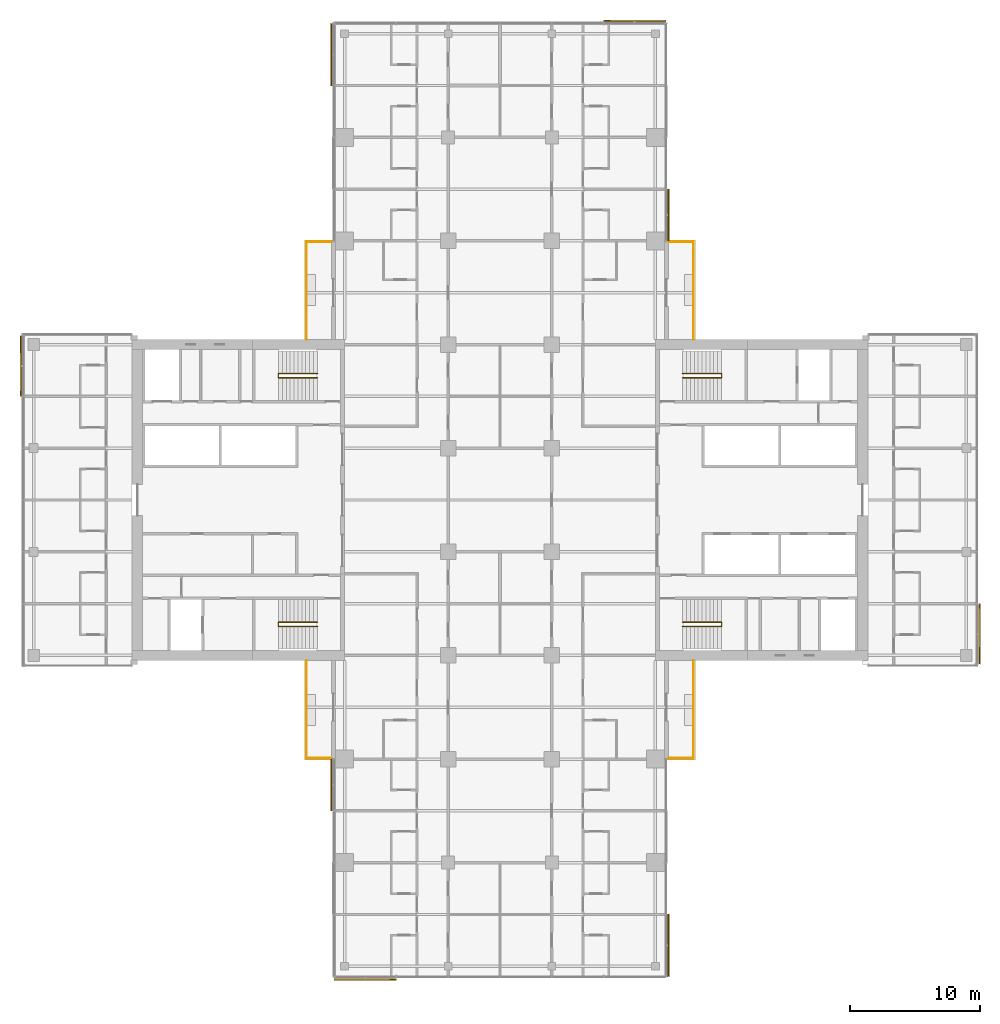
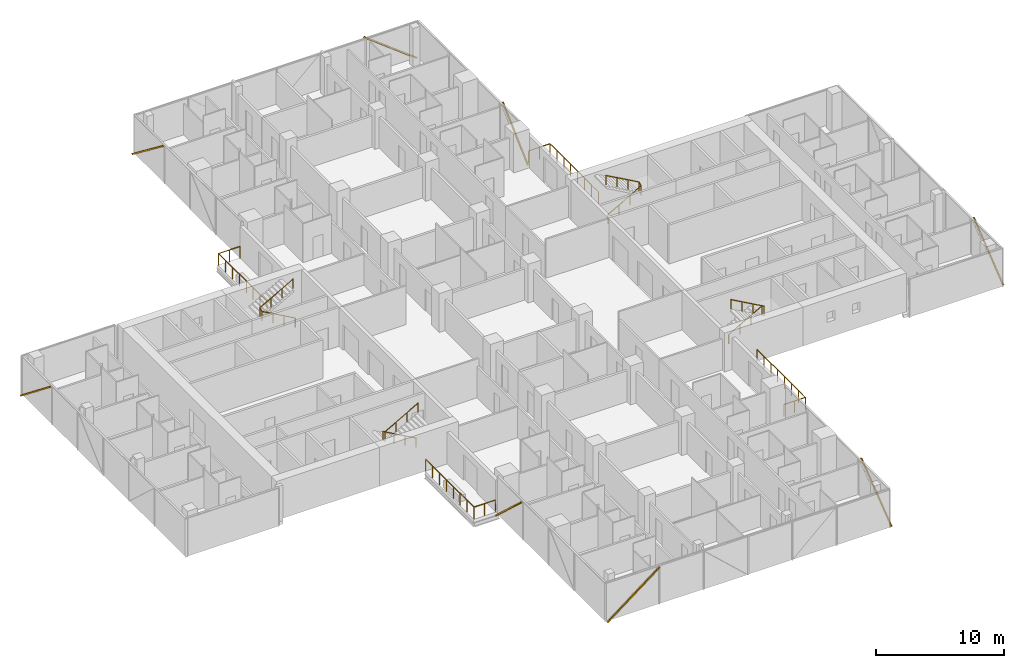
# One storey, part 29 of 29: 8 railings, 8 shading devices, 8 elements without a shape of their own.
"""IFC4 building model written with IfcOpenShell, lengths in metres."""

import ifcopenshell
import ifcopenshell.guid

model = None  # the IFC model being written
_history = None  # IfcOwnerHistory: only IFC2X3 demands one
_inside = {}  # id of a spatial element -> (the spatial element, [elements in it])
_under = {}  # id of a project, library or spatial element -> (it, [spatial elements below it])
_declared = {}  # id of a project -> (the project, [libraries it declares])
_typed = {}  # id of a type object -> (the type object, [elements of that type])
_made_of = {}  # id of a material, layer set ... -> (it, [elements and type objects made of it])


def new_model(schema):
    """Start an empty IFC model of exactly this schema.

    Asked for "IFC4X3", IfcOpenShell would pick the latest addendum, in which some entities
    have other attributes; the version numbers below select the first issue.
    IFC2X3 requires an IfcOwnerHistory on every rooted entity: one is made here for all.
    """
    global model, _history
    if schema == "IFC4X3":
        model = ifcopenshell.file(schema_version=(4, 3, 0, 0))
    else:
        model = ifcopenshell.file(schema=schema)
    _inside.clear()
    _under.clear()
    _declared.clear()
    _typed.clear()
    _made_of.clear()
    _history = None
    if model.schema == "IFC2X3":
        org = make("IfcOrganization", Name="unknown")
        user = make(
            "IfcPersonAndOrganization",
            ThePerson=make("IfcPerson", FamilyName="unknown"),
            TheOrganization=org,
        )
        app = make(
            "IfcApplication",
            ApplicationDeveloper=org,
            Version="unknown",
            ApplicationFullName="unknown",
            ApplicationIdentifier="unknown",
        )
        _history = make(
            "IfcOwnerHistory",
            OwningUser=user,
            OwningApplication=app,
            ChangeAction="ADDED",
            CreationDate=0,
        )
    return model


def make(cls, **values):
    """One entity of the class cls with the attributes given. An attribute that is None is left unset."""
    return model.create_entity(
        cls, **{name: value for name, value in values.items() if value is not None}
    )


def rooted(cls, **values):
    """An entity with a GlobalId (a new one), such as an element, a storey or a relation."""
    return make(cls, GlobalId=ifcopenshell.guid.new(), OwnerHistory=_history, **values)


def si_unit(unit_type, name, prefix=None):
    """IfcSIUnit, for example si_unit("LENGTHUNIT", "METRE", prefix="MILLI")."""
    return make("IfcSIUnit", UnitType=unit_type, Prefix=prefix, Name=name)


def assignment(units):
    """IfcUnitAssignment: the units of a project."""
    return None if units is None else make("IfcUnitAssignment", Units=units)


def point(xyz):
    """IfcCartesianPoint."""
    return None if xyz is None else make("IfcCartesianPoint", Coordinates=xyz)


def direction(xyz):
    """IfcDirection."""
    return None if xyz is None else make("IfcDirection", DirectionRatios=xyz)


def frame(location, z_axis=None, x_axis=None):
    """IfcAxis2Placement3D, a coordinate frame: its origin and axes. An axis left out is left unset."""
    return make(
        "IfcAxis2Placement3D",
        Location=point(location),
        Axis=direction(z_axis),
        RefDirection=direction(x_axis),
    )


def frame_2d(location, x_axis=None):
    """IfcAxis2Placement2D, a coordinate frame in the plane: its origin and x axis."""
    return make(
        "IfcAxis2Placement2D", Location=point(location), RefDirection=direction(x_axis)
    )


def origin():
    """The frame at (0, 0, 0) with its axes left unset."""
    return frame((0.0, 0.0, 0.0))


def origin_2d():
    """The frame at (0, 0) in the plane with its x axis left unset."""
    return frame_2d((0.0, 0.0))


def place(relative_to, where):
    """IfcLocalPlacement: puts the frame where relative to a parent placement (None: the world)."""
    return make(
        "IfcLocalPlacement", PlacementRelTo=relative_to, RelativePlacement=where
    )


def context(
    kind, dimensions, precision=None, world=None, true_north=None, identifier=None
):
    """IfcGeometricRepresentationContext, for example the 3D "Model" context."""
    return make(
        "IfcGeometricRepresentationContext",
        ContextIdentifier=identifier,
        ContextType=kind,
        CoordinateSpaceDimension=dimensions,
        Precision=precision,
        WorldCoordinateSystem=world,
        TrueNorth=true_north,
    )


def subcontext(parent, identifier, kind, view, scale=None):
    """IfcGeometricRepresentationSubContext, for example "Body" below "Model"."""
    return make(
        "IfcGeometricRepresentationSubContext",
        ContextIdentifier=identifier,
        ContextType=kind,
        ParentContext=parent,
        TargetScale=scale,
        TargetView=view,
    )


def project(units=None, contexts=None):
    """IfcProject with its units and contexts."""
    return rooted(
        "IfcProject",
        Name="project",
        RepresentationContexts=contexts,
        UnitsInContext=assignment(units),
    )


def spatial(cls, under=None, at=None, **own):
    """A site, building, storey or space (cls), placed at a placement, below another one or the project."""
    s = rooted(cls, ObjectPlacement=at, **own)
    if under is not None:
        _under.setdefault(under.id(), (under, []))[1].append(s)
    return s


def profile(cls, at=None, kind="AREA", **sizes):
    """A parametric profile (cls). Its sizes go by their IFC names, for example OverallWidth=200.0."""
    return make(cls, ProfileType=kind, Position=at, **sizes)


def rectangle(**sizes):
    """IfcRectangleProfileDef."""
    return profile("IfcRectangleProfileDef", **sizes)


def circle(**sizes):
    """IfcCircleProfileDef."""
    return profile("IfcCircleProfileDef", **sizes)


def extrude(swept, where, along, depth):
    """IfcExtrudedAreaSolid: the profile swept, set in the frame where, extruded along a direction by depth."""
    return make(
        "IfcExtrudedAreaSolid",
        SweptArea=swept,
        Position=where,
        ExtrudedDirection=direction(along),
        Depth=depth,
    )


def shape(context_of_items, identifier, shape_type, items):
    """IfcShapeRepresentation: the items that make up one representation, for example the "Body"."""
    return make(
        "IfcShapeRepresentation",
        ContextOfItems=context_of_items,
        RepresentationIdentifier=identifier,
        RepresentationType=shape_type,
        Items=items,
    )


def material(Name=None, Category=None):
    """IfcMaterial."""
    return make("IfcMaterial", Name=Name, Category=Category)


def material_profile(
    of_material, cross_section, Name=None, Category=None, Priority=None
):
    """IfcMaterialProfile: a cross section and its material."""
    return make(
        "IfcMaterialProfile",
        Name=Name,
        Material=of_material,
        Profile=cross_section,
        Priority=Priority,
        Category=Category,
    )


def profile_set(profiles, Name=None, composite=None):
    """IfcMaterialProfileSet."""
    return make(
        "IfcMaterialProfileSet",
        Name=Name,
        MaterialProfiles=profiles,
        CompositeProfile=composite,
    )


def made_of(thing, what):
    """Note that an element or type object is made of a material, layer set ...; save() writes the relation."""
    if what is not None:
        _made_of.setdefault(what.id(), (what, []))[1].append(thing)
    return thing


def type_object(cls, material=None, **own):
    """A type object (cls), such as IfcWallType, which elements share."""
    return made_of(rooted(cls, **own), material)


def element(
    cls,
    number,
    at=None,
    inside=None,
    cuts=None,
    type_object=None,
    material=None,
    context=None,
    identifier="Body",
    shape_type=None,
    held_by="IfcProductDefinitionShape",
    body=None,
    shapes=None,
    **own,
):
    """One element of the class cls, such as IfcWall. Its Tag is "e" and its number.

    at: its placement. inside: the storey or other place that contains it. cuts: it is an
    opening in that element (IfcRelVoidsElement). A single representation is given by context,
    identifier, shape_type and body (its items); several are given by shapes. held_by: the class
    of the entity that holds the representations. save() writes the other relations.
    """
    e = rooted(cls, Tag="e%d" % number, ObjectPlacement=at, **own)
    if body is not None:
        shapes = [shape(context, identifier, shape_type, body)]
    if shapes is not None:
        e.Representation = make(held_by, Representations=shapes)
    if inside is not None:
        _inside.setdefault(inside.id(), (inside, []))[1].append(e)
    if cuts is not None:
        rooted(
            "IfcRelVoidsElement", RelatingBuildingElement=cuts, RelatedOpeningElement=e
        )
    if type_object is not None:
        _typed.setdefault(type_object.id(), (type_object, []))[1].append(e)
    return made_of(e, material)


def aggregate(whole, parts):
    """IfcRelAggregates: a whole, such as a stair, and the parts it consists of."""
    return rooted("IfcRelAggregates", RelatingObject=whole, RelatedObjects=parts)


def save(model, path):
    """Write the relations noted so far, then the file.

    IfcRelAggregates (storeys below a building ...), IfcRelContainedInSpatialStructure (elements
    in a storey), IfcRelDefinesByType, IfcRelAssociatesMaterial and IfcRelDeclares: one each for
    every whole, place, type object, material and project.
    """
    for whole, parts in _under.values():
        aggregate(whole, parts)
    for where, things in _inside.values():
        rooted(
            "IfcRelContainedInSpatialStructure",
            RelatedElements=things,
            RelatingStructure=where,
        )
    for kind, things in _typed.values():
        rooted("IfcRelDefinesByType", RelatedObjects=things, RelatingType=kind)
    for what, things in _made_of.values():
        rooted("IfcRelAssociatesMaterial", RelatedObjects=things, RelatingMaterial=what)
    for by, libraries in _declared.values():
        rooted("IfcRelDeclares", RelatingContext=by, RelatedDefinitions=libraries)
    model.write(path)


model = new_model("IFC4")

# Units and contexts
model_context = context("Model", 3, precision=1e-05, world=origin(), true_north=direction((0.0, 1.0)))
body_context = subcontext(model_context, "Body", "Model", "MODEL_VIEW")
ifc_project = project(units=[si_unit("LENGTHUNIT", "METRE"), si_unit("AREAUNIT", "SQUARE_METRE"), si_unit("VOLUMEUNIT", "CUBIC_METRE"), si_unit("PLANEANGLEUNIT", "RADIAN"), si_unit("MASSUNIT", "GRAM", prefix="KILO")], contexts=[model_context])

# Site, building, storey
site_placement = place(None, origin())
site = spatial("IfcSite", under=ifc_project, at=site_placement, CompositionType="ELEMENT")
building_placement = place(site_placement, origin())
building = spatial("IfcBuilding", under=site, at=building_placement, Name="Crosswind Convention Tower", CompositionType="ELEMENT")
storey_placement = place(building_placement, frame((0.0, 0.0, 53.5)))
storey = spatial("IfcBuildingStorey", under=building, at=storey_placement, Name="L07", CompositionType="ELEMENT", Elevation=53.5)

# Railings
ifc_material_1 = material(Name="Steel and laminated glass balustrade", Category="steel")
railing_type_1 = type_object("IfcRailingType", Name="BALCONY BALUSTRADE 1150", PredefinedType="BALUSTRADE", material=ifc_material_1)
railing_1_placement = place(storey_placement, frame((139.93994140625, 112.39990234375, 0.0)))
element("IfcRailing", 1, at=railing_1_placement, inside=storey, type_object=railing_type_1, Name="R11 balcony balustrade L07 N-E.1-1", PredefinedType="BALUSTRADE", context=body_context, shape_type="SweptSolid", body=[
    extrude(circle(Radius=0.02392578125, at=origin_2d()), frame((0.0, 0.0, 1.1259765625), z_axis=(0.0, 1.0, 0.0), x_axis=(-1.0, 0.0, 0.0)), (0.0, 0.0, 1.0), 7.5400390625),
    extrude(circle(Radius=0.02392578125, at=origin_2d()), frame((0.0, 7.5400390625, 1.1259765625), z_axis=(-1.0, 0.0, 0.0), x_axis=(0.0, -1.0, 0.0)), (0.0, 0.0, 1.0), 1.9189453125),
    extrude(circle(Radius=0.02099609375, at=origin_2d()), origin(), (0.0, 0.0, 1.0), 1.101806640625),
    extrude(circle(Radius=0.02099609375, at=origin_2d()), frame((0.0, 1.0771484375, 0.0)), (0.0, 0.0, 1.0), 1.101806640625),
    extrude(circle(Radius=0.02099609375, at=origin_2d()), frame((0.0, 2.154296875, 0.0)), (0.0, 0.0, 1.0), 1.101806640625),
    extrude(circle(Radius=0.02099609375, at=origin_2d()), frame((0.0, 3.2314453125, 0.0)), (0.0, 0.0, 1.0), 1.101806640625),
    extrude(circle(Radius=0.02099609375, at=origin_2d()), frame((0.0, 4.30859375, 0.0)), (0.0, 0.0, 1.0), 1.101806640625),
    extrude(circle(Radius=0.02099609375, at=origin_2d()), frame((0.0, 5.3857421875, 0.0)), (0.0, 0.0, 1.0), 1.101806640625),
    extrude(circle(Radius=0.02099609375, at=origin_2d()), frame((0.0, 6.462890625, 0.0)), (0.0, 0.0, 1.0), 1.101806640625),
    extrude(circle(Radius=0.02099609375, at=origin_2d()), frame((0.0, 7.5400390625, 0.0)), (0.0, 0.0, 1.0), 1.101806640625),
    extrude(circle(Radius=0.02099609375, at=origin_2d()), frame((-0.95947265625, 7.5400390625, 0.0)), (0.0, 0.0, 1.0), 1.101806640625),
    extrude(circle(Radius=0.02099609375, at=origin_2d()), frame((-1.9189453125, 7.5400390625, 0.0)), (0.0, 0.0, 1.0), 1.101806640625),
])
railing_2_placement = place(storey_placement, frame((110.06005859375, 112.39990234375, 0.0)))
element("IfcRailing", 2, at=railing_2_placement, inside=storey, type_object=railing_type_1, Name="R11 balcony balustrade L07 N-W.1-3", PredefinedType="BALUSTRADE", context=body_context, shape_type="SweptSolid", body=[
    extrude(circle(Radius=0.02392578125, at=origin_2d()), frame((0.0, 0.0, 1.1259765625), z_axis=(0.0, 1.0, 0.0), x_axis=(-1.0, 0.0, 0.0)), (0.0, 0.0, 1.0), 7.5400390625),
    extrude(circle(Radius=0.02392578125, at=origin_2d()), frame((0.0, 7.5400390625, 1.1259765625), z_axis=(1.0, 0.0, 0.0), x_axis=(0.0, 1.0, 0.0)), (0.0, 0.0, 1.0), 1.9189453125),
    extrude(circle(Radius=0.02099609375, at=origin_2d()), origin(), (0.0, 0.0, 1.0), 1.101806640625),
    extrude(circle(Radius=0.02099609375, at=origin_2d()), frame((0.0, 1.0771484375, 0.0)), (0.0, 0.0, 1.0), 1.101806640625),
    extrude(circle(Radius=0.02099609375, at=origin_2d()), frame((0.0, 2.154296875, 0.0)), (0.0, 0.0, 1.0), 1.101806640625),
    extrude(circle(Radius=0.02099609375, at=origin_2d()), frame((0.0, 3.2314453125, 0.0)), (0.0, 0.0, 1.0), 1.101806640625),
    extrude(circle(Radius=0.02099609375, at=origin_2d()), frame((0.0, 4.30859375, 0.0)), (0.0, 0.0, 1.0), 1.101806640625),
    extrude(circle(Radius=0.02099609375, at=origin_2d()), frame((0.0, 5.3857421875, 0.0)), (0.0, 0.0, 1.0), 1.101806640625),
    extrude(circle(Radius=0.02099609375, at=origin_2d()), frame((0.0, 6.462890625, 0.0)), (0.0, 0.0, 1.0), 1.101806640625),
    extrude(circle(Radius=0.02099609375, at=origin_2d()), frame((0.0, 7.5400390625, 0.0)), (0.0, 0.0, 1.0), 1.101806640625),
    extrude(circle(Radius=0.02099609375, at=origin_2d()), frame((0.95947265625, 7.5400390625, 0.0)), (0.0, 0.0, 1.0), 1.101806640625),
    extrude(circle(Radius=0.02099609375, at=origin_2d()), frame((1.9189453125, 7.5400390625, 0.0)), (0.0, 0.0, 1.0), 1.101806640625),
])
railing_3_placement = place(storey_placement, frame((110.06005859375, 87.60009765625, 0.0)))
element("IfcRailing", 3, at=railing_3_placement, inside=storey, type_object=railing_type_1, Name="R11 balcony balustrade L07 S-W.1-1", PredefinedType="BALUSTRADE", context=body_context, shape_type="SweptSolid", body=[
    extrude(circle(Radius=0.02392578125, at=origin_2d()), frame((0.0, 0.0, 1.1259765625), z_axis=(0.0, -1.0, 0.0), x_axis=(1.0, 0.0, 0.0)), (0.0, 0.0, 1.0), 7.5400390625),
    extrude(circle(Radius=0.02392578125, at=origin_2d()), frame((0.0, -7.5400390625, 1.1259765625), z_axis=(1.0, 0.0, 0.0), x_axis=(0.0, 1.0, 0.0)), (0.0, 0.0, 1.0), 1.9189453125),
    extrude(circle(Radius=0.02099609375, at=origin_2d()), origin(), (0.0, 0.0, 1.0), 1.101806640625),
    extrude(circle(Radius=0.02099609375, at=origin_2d()), frame((0.0, -1.0771484375, 0.0)), (0.0, 0.0, 1.0), 1.101806640625),
    extrude(circle(Radius=0.02099609375, at=origin_2d()), frame((0.0, -2.154296875, 0.0)), (0.0, 0.0, 1.0), 1.101806640625),
    extrude(circle(Radius=0.02099609375, at=origin_2d()), frame((0.0, -3.2314453125, 0.0)), (0.0, 0.0, 1.0), 1.101806640625),
    extrude(circle(Radius=0.02099609375, at=origin_2d()), frame((0.0, -4.30859375, 0.0)), (0.0, 0.0, 1.0), 1.101806640625),
    extrude(circle(Radius=0.02099609375, at=origin_2d()), frame((0.0, -5.3857421875, 0.0)), (0.0, 0.0, 1.0), 1.101806640625),
    extrude(circle(Radius=0.02099609375, at=origin_2d()), frame((0.0, -6.462890625, 0.0)), (0.0, 0.0, 1.0), 1.101806640625),
    extrude(circle(Radius=0.02099609375, at=origin_2d()), frame((0.0, -7.5400390625, 0.0)), (0.0, 0.0, 1.0), 1.101806640625),
    extrude(circle(Radius=0.02099609375, at=origin_2d()), frame((0.95947265625, -7.5400390625, 0.0)), (0.0, 0.0, 1.0), 1.101806640625),
    extrude(circle(Radius=0.02099609375, at=origin_2d()), frame((1.9189453125, -7.5400390625, 0.0)), (0.0, 0.0, 1.0), 1.101806640625),
])
railing_4_placement = place(storey_placement, frame((139.93994140625, 87.60009765625, 0.0)))
element("IfcRailing", 4, at=railing_4_placement, inside=storey, type_object=railing_type_1, Name="R11 balcony balustrade L07 S-E.1-3", PredefinedType="BALUSTRADE", context=body_context, shape_type="SweptSolid", body=[
    extrude(circle(Radius=0.02392578125, at=origin_2d()), frame((0.0, 0.0, 1.1259765625), z_axis=(0.0, -1.0, 0.0), x_axis=(1.0, 0.0, 0.0)), (0.0, 0.0, 1.0), 7.5400390625),
    extrude(circle(Radius=0.02392578125, at=origin_2d()), frame((0.0, -7.5400390625, 1.1259765625), z_axis=(-1.0, 0.0, 0.0), x_axis=(0.0, -1.0, 0.0)), (0.0, 0.0, 1.0), 1.9189453125),
    extrude(circle(Radius=0.02099609375, at=origin_2d()), origin(), (0.0, 0.0, 1.0), 1.101806640625),
    extrude(circle(Radius=0.02099609375, at=origin_2d()), frame((0.0, -1.0771484375, 0.0)), (0.0, 0.0, 1.0), 1.101806640625),
    extrude(circle(Radius=0.02099609375, at=origin_2d()), frame((0.0, -2.154296875, 0.0)), (0.0, 0.0, 1.0), 1.101806640625),
    extrude(circle(Radius=0.02099609375, at=origin_2d()), frame((0.0, -3.2314453125, 0.0)), (0.0, 0.0, 1.0), 1.101806640625),
    extrude(circle(Radius=0.02099609375, at=origin_2d()), frame((0.0, -4.30859375, 0.0)), (0.0, 0.0, 1.0), 1.101806640625),
    extrude(circle(Radius=0.02099609375, at=origin_2d()), frame((0.0, -5.3857421875, 0.0)), (0.0, 0.0, 1.0), 1.101806640625),
    extrude(circle(Radius=0.02099609375, at=origin_2d()), frame((0.0, -6.462890625, 0.0)), (0.0, 0.0, 1.0), 1.101806640625),
    extrude(circle(Radius=0.02099609375, at=origin_2d()), frame((0.0, -7.5400390625, 0.0)), (0.0, 0.0, 1.0), 1.101806640625),
    extrude(circle(Radius=0.02099609375, at=origin_2d()), frame((-0.95947265625, -7.5400390625, 0.0)), (0.0, 0.0, 1.0), 1.101806640625),
    extrude(circle(Radius=0.02099609375, at=origin_2d()), frame((-1.9189453125, -7.5400390625, 0.0)), (0.0, 0.0, 1.0), 1.101806640625),
])
ifc_material_2 = material(Name="Stainless steel", Category="steel")
railing_type_2 = type_object("IfcRailingType", Name="Stair handrail 900", PredefinedType="HANDRAIL", material=ifc_material_2)
railing_5_placement = place(storey_placement, frame((139.10009765625, 109.43994140625, 0.168212890625)))
element("IfcRailing", 5, at=railing_5_placement, inside=storey, type_object=railing_type_2, Name="Stair ST1 handrail L07", PredefinedType="HANDRAIL", context=body_context, shape_type="SweptSolid", body=[
    extrude(circle(Radius=0.02392578125, at=origin_2d()), frame((0.0, 0.0, 0.8759765625), z_axis=(0.872272294576, 0.0, 0.489020494575), x_axis=(0.0, 1.0, 0.0)), (0.0, 0.0, 1.0), 3.439208984375),
    extrude(circle(Radius=0.02392578125, at=origin_2d()), frame((3.0, 0.0, 2.5576171875), z_axis=(0.0, 0.885474334664, 0.464688285468), x_axis=(-1.0, 0.0, 0.0)), (0.0, 0.0, 1.0), 0.361572265625),
    extrude(circle(Radius=0.02392578125, at=origin_2d()), frame((3.0, 0.320068359375, 2.7255859375), z_axis=(-0.872272294576, 0.0, 0.489020494575), x_axis=(0.0, -1.0, 0.0)), (0.0, 0.0, 1.0), 3.439208984375),
    extrude(circle(Radius=0.02099609375, at=origin_2d()), origin(), (0.0, 0.0, 1.0), 0.851806640625),
    extrude(circle(Radius=0.02099609375, at=origin_2d()), frame((1.0, 0.0, 0.560546875)), (0.0, 0.0, 1.0), 0.851806640625),
    extrude(circle(Radius=0.02099609375, at=origin_2d()), frame((2.0, 0.0, 1.121337890625)), (0.0, 0.0, 1.0), 0.851806640625),
    extrude(circle(Radius=0.02099609375, at=origin_2d()), frame((3.0, 0.0, 1.681884765625)), (0.0, 0.0, 1.0), 0.851806640625),
    extrude(circle(Radius=0.02099609375, at=origin_2d()), frame((3.0, 0.320068359375, 1.849853515625)), (0.0, 0.0, 1.0), 0.851806640625),
    extrude(circle(Radius=0.02099609375, at=origin_2d()), frame((2.0, 0.320068359375, 2.410400390625)), (0.0, 0.0, 1.0), 0.851806640625),
    extrude(circle(Radius=0.02099609375, at=origin_2d()), frame((1.0, 0.320068359375, 2.97119140625)), (0.0, 0.0, 1.0), 0.851806640625),
    extrude(circle(Radius=0.02099609375, at=origin_2d()), frame((0.0, 0.320068359375, 3.53173828125)), (0.0, 0.0, 1.0), 0.851806640625),
])
railing_6_placement = place(storey_placement, frame((139.10009765625, 90.56005859375, 0.168212890625)))
element("IfcRailing", 6, at=railing_6_placement, inside=storey, type_object=railing_type_2, Name="Stair ST2 handrail L07", PredefinedType="HANDRAIL", context=body_context, shape_type="SweptSolid", body=[
    extrude(circle(Radius=0.02392578125, at=origin_2d()), frame((0.0, 0.0, 0.8759765625), z_axis=(0.872272294576, 0.0, 0.489020494575), x_axis=(0.0, 1.0, 0.0)), (0.0, 0.0, 1.0), 3.439208984375),
    extrude(circle(Radius=0.02392578125, at=origin_2d()), frame((3.0, 0.0, 2.5576171875), z_axis=(0.0, -0.885474334664, 0.464688285468), x_axis=(1.0, 0.0, 0.0)), (0.0, 0.0, 1.0), 0.361572265625),
    extrude(circle(Radius=0.02392578125, at=origin_2d()), frame((3.0, -0.320068359375, 2.7255859375), z_axis=(-0.872272294576, 0.0, 0.489020494575), x_axis=(0.0, -1.0, 0.0)), (0.0, 0.0, 1.0), 3.439208984375),
    extrude(circle(Radius=0.02099609375, at=origin_2d()), origin(), (0.0, 0.0, 1.0), 0.851806640625),
    extrude(circle(Radius=0.02099609375, at=origin_2d()), frame((1.0, 0.0, 0.560546875)), (0.0, 0.0, 1.0), 0.851806640625),
    extrude(circle(Radius=0.02099609375, at=origin_2d()), frame((2.0, 0.0, 1.121337890625)), (0.0, 0.0, 1.0), 0.851806640625),
    extrude(circle(Radius=0.02099609375, at=origin_2d()), frame((3.0, 0.0, 1.681884765625)), (0.0, 0.0, 1.0), 0.851806640625),
    extrude(circle(Radius=0.02099609375, at=origin_2d()), frame((3.0, -0.320068359375, 1.849853515625)), (0.0, 0.0, 1.0), 0.851806640625),
    extrude(circle(Radius=0.02099609375, at=origin_2d()), frame((2.0, -0.320068359375, 2.410400390625)), (0.0, 0.0, 1.0), 0.851806640625),
    extrude(circle(Radius=0.02099609375, at=origin_2d()), frame((1.0, -0.320068359375, 2.97119140625)), (0.0, 0.0, 1.0), 0.851806640625),
    extrude(circle(Radius=0.02099609375, at=origin_2d()), frame((0.0, -0.320068359375, 3.53173828125)), (0.0, 0.0, 1.0), 0.851806640625),
])
railing_7_placement = place(storey_placement, frame((110.89990234375, 90.56005859375, 0.168212890625)))
element("IfcRailing", 7, at=railing_7_placement, inside=storey, type_object=railing_type_2, Name="Stair ST3 handrail L07", PredefinedType="HANDRAIL", context=body_context, shape_type="SweptSolid", body=[
    extrude(circle(Radius=0.02392578125, at=origin_2d()), frame((0.0, 0.0, 0.8759765625), z_axis=(-0.872272294576, 0.0, 0.489020494575), x_axis=(0.0, -1.0, 0.0)), (0.0, 0.0, 1.0), 3.439208984375),
    extrude(circle(Radius=0.02392578125, at=origin_2d()), frame((-3.0, 0.0, 2.5576171875), z_axis=(0.0, -0.885474334664, 0.464688285468), x_axis=(1.0, 0.0, 0.0)), (0.0, 0.0, 1.0), 0.361572265625),
    extrude(circle(Radius=0.02392578125, at=origin_2d()), frame((-3.0, -0.320068359375, 2.7255859375), z_axis=(0.872272294576, 0.0, 0.489020494575), x_axis=(0.0, 1.0, 0.0)), (0.0, 0.0, 1.0), 3.439208984375),
    extrude(circle(Radius=0.02099609375, at=origin_2d()), origin(), (0.0, 0.0, 1.0), 0.851806640625),
    extrude(circle(Radius=0.02099609375, at=origin_2d()), frame((-1.0, 0.0, 0.560546875)), (0.0, 0.0, 1.0), 0.851806640625),
    extrude(circle(Radius=0.02099609375, at=origin_2d()), frame((-2.0, 0.0, 1.121337890625)), (0.0, 0.0, 1.0), 0.851806640625),
    extrude(circle(Radius=0.02099609375, at=origin_2d()), frame((-3.0, 0.0, 1.681884765625)), (0.0, 0.0, 1.0), 0.851806640625),
    extrude(circle(Radius=0.02099609375, at=origin_2d()), frame((-3.0, -0.320068359375, 1.849853515625)), (0.0, 0.0, 1.0), 0.851806640625),
    extrude(circle(Radius=0.02099609375, at=origin_2d()), frame((-2.0, -0.320068359375, 2.410400390625)), (0.0, 0.0, 1.0), 0.851806640625),
    extrude(circle(Radius=0.02099609375, at=origin_2d()), frame((-1.0, -0.320068359375, 2.97119140625)), (0.0, 0.0, 1.0), 0.851806640625),
    extrude(circle(Radius=0.02099609375, at=origin_2d()), frame((0.0, -0.320068359375, 3.53173828125)), (0.0, 0.0, 1.0), 0.851806640625),
])
railing_8_placement = place(storey_placement, frame((110.89990234375, 109.43994140625, 0.168212890625)))
element("IfcRailing", 8, at=railing_8_placement, inside=storey, type_object=railing_type_2, Name="Stair ST4 handrail L07", PredefinedType="HANDRAIL", context=body_context, shape_type="SweptSolid", body=[
    extrude(circle(Radius=0.02392578125, at=origin_2d()), frame((0.0, 0.0, 0.8759765625), z_axis=(-0.872272294576, 0.0, 0.489020494575), x_axis=(0.0, -1.0, 0.0)), (0.0, 0.0, 1.0), 3.439208984375),
    extrude(circle(Radius=0.02392578125, at=origin_2d()), frame((-3.0, 0.0, 2.5576171875), z_axis=(0.0, 0.885474334664, 0.464688285468), x_axis=(-1.0, 0.0, 0.0)), (0.0, 0.0, 1.0), 0.361572265625),
    extrude(circle(Radius=0.02392578125, at=origin_2d()), frame((-3.0, 0.320068359375, 2.7255859375), z_axis=(0.872272294576, 0.0, 0.489020494575), x_axis=(0.0, 1.0, 0.0)), (0.0, 0.0, 1.0), 3.439208984375),
    extrude(circle(Radius=0.02099609375, at=origin_2d()), origin(), (0.0, 0.0, 1.0), 0.851806640625),
    extrude(circle(Radius=0.02099609375, at=origin_2d()), frame((-1.0, 0.0, 0.560546875)), (0.0, 0.0, 1.0), 0.851806640625),
    extrude(circle(Radius=0.02099609375, at=origin_2d()), frame((-2.0, 0.0, 1.121337890625)), (0.0, 0.0, 1.0), 0.851806640625),
    extrude(circle(Radius=0.02099609375, at=origin_2d()), frame((-3.0, 0.0, 1.681884765625)), (0.0, 0.0, 1.0), 0.851806640625),
    extrude(circle(Radius=0.02099609375, at=origin_2d()), frame((-3.0, 0.320068359375, 1.849853515625)), (0.0, 0.0, 1.0), 0.851806640625),
    extrude(circle(Radius=0.02099609375, at=origin_2d()), frame((-2.0, 0.320068359375, 2.410400390625)), (0.0, 0.0, 1.0), 0.851806640625),
    extrude(circle(Radius=0.02099609375, at=origin_2d()), frame((-1.0, 0.320068359375, 2.97119140625)), (0.0, 0.0, 1.0), 0.851806640625),
    extrude(circle(Radius=0.02099609375, at=origin_2d()), frame((0.0, 0.320068359375, 3.53173828125)), (0.0, 0.0, 1.0), 0.851806640625),
])

# Curtain wall, shading device
ifc_material_3 = material(Name="Aluminium unitised curtain wall", Category="aluminium")
curtain_wall_type = type_object("IfcCurtainWallType", Name="HOTEL UNITISED WALL 200", PredefinedType="USERDEFINED", material=ifc_material_3)
curtain_wall_1_placement = place(storey_placement, origin())
curtain_wall_1 = element("IfcCurtainWall", 9, at=curtain_wall_1_placement, inside=storey, type_object=curtain_wall_type, Name="CW2 L07 E-TIP 1", ObjectType="UNITISED", PredefinedType="USERDEFINED")
ifc_material_4 = material(Name="Extruded terracotta", Category="masonry")
ifc_material_profile = material_profile(ifc_material_4, rectangle(XDim=0.10009765625, YDim=0.1201171875, at=origin_2d()), Name="TC 100X120")
ifc_profile_set = profile_set([ifc_material_profile], Name="Extruded terracotta")
shading_device_type = type_object("IfcShadingDeviceType", Name="TERRACOTTA BAGUETTE 120X100", PredefinedType="USERDEFINED", material=ifc_profile_set)
shading_device_1_placement = place(storey_placement, frame((162.008056640625, 87.364990234375, -0.280029296875), z_axis=(0.0, 0.784764474718, 0.619794094212), x_axis=(-1.0, 0.0, 0.0)))
shading_device_1 = element("IfcShadingDevice", 10, at=shading_device_1_placement, type_object=shading_device_type, Name="CW2 terracotta baguette 1", ObjectType="BAGUETTE", PredefinedType="USERDEFINED", context=body_context, shape_type="SweptSolid", body=[
    extrude(rectangle(XDim=0.10009765625, YDim=0.1201171875, at=origin_2d()), origin(), (0.0, 0.0, 1.0), 5.86474609375),
])
aggregate(curtain_wall_1, [shading_device_1])

curtain_wall_2_placement = place(storey_placement, origin())
curtain_wall_2 = element("IfcCurtainWall", 11, at=curtain_wall_2_placement, inside=storey, type_object=curtain_wall_type, Name="CW2 L07 N-E 1", ObjectType="UNITISED", PredefinedType="USERDEFINED")
shading_device_2_placement = place(storey_placement, frame((138.008056640625, 120.032470703125, -0.280029296875), z_axis=(0.0, 0.734557036047, 0.678546948114), x_axis=(-1.0, 0.0, 0.0)))
shading_device_2 = element("IfcShadingDevice", 12, at=shading_device_2_placement, type_object=shading_device_type, Name="CW2 terracotta baguette 1", ObjectType="BAGUETTE", PredefinedType="USERDEFINED", context=body_context, shape_type="SweptSolid", body=[
    extrude(rectangle(XDim=0.10009765625, YDim=0.1201171875, at=origin_2d()), origin(), (0.0, 0.0, 1.0), 5.35693359375),
])
aggregate(curtain_wall_2, [shading_device_2])

curtain_wall_3_placement = place(storey_placement, origin())
curtain_wall_3 = element("IfcCurtainWall", 13, at=curtain_wall_3_placement, inside=storey, type_object=curtain_wall_type, Name="CW2 L07 N-TIP 1", ObjectType="UNITISED", PredefinedType="USERDEFINED")
shading_device_3_placement = place(storey_placement, frame((137.767578125, 137.008056640625, -0.280029296875), z_axis=(-0.793221117913, 0.0, 0.608933705831), x_axis=(0.0, -1.0, 0.0)))
shading_device_3 = element("IfcShadingDevice", 14, at=shading_device_3_placement, type_object=shading_device_type, Name="CW2 terracotta baguette 1", ObjectType="BAGUETTE", PredefinedType="USERDEFINED", context=body_context, shape_type="SweptSolid", body=[
    extrude(rectangle(XDim=0.10009765625, YDim=0.1201171875, at=origin_2d()), origin(), (0.0, 0.0, 1.0), 5.969482421875),
])
aggregate(curtain_wall_3, [shading_device_3])

curtain_wall_4_placement = place(storey_placement, origin())
curtain_wall_4 = element("IfcCurtainWall", 15, at=curtain_wall_4_placement, inside=storey, type_object=curtain_wall_type, Name="CW2 L07 N-W 1", ObjectType="UNITISED", PredefinedType="USERDEFINED")
shading_device_4_placement = place(storey_placement, frame((111.991943359375, 136.767578125, -0.280029296875), z_axis=(0.0, -0.793221117913, 0.608933705831), x_axis=(1.0, 0.0, 0.0)))
shading_device_4 = element("IfcShadingDevice", 16, at=shading_device_4_placement, type_object=shading_device_type, Name="CW2 terracotta baguette 1", ObjectType="BAGUETTE", PredefinedType="USERDEFINED", context=body_context, shape_type="SweptSolid", body=[
    extrude(rectangle(XDim=0.10009765625, YDim=0.1201171875, at=origin_2d()), origin(), (0.0, 0.0, 1.0), 5.969482421875),
])
aggregate(curtain_wall_4, [shading_device_4])

curtain_wall_5_placement = place(storey_placement, origin())
curtain_wall_5 = element("IfcCurtainWall", 17, at=curtain_wall_5_placement, inside=storey, type_object=curtain_wall_type, Name="CW2 L07 W-TIP 1", ObjectType="UNITISED", PredefinedType="USERDEFINED")
shading_device_5_placement = place(storey_placement, frame((87.991943359375, 112.635009765625, -0.280029296875), z_axis=(0.0, -0.784764474718, 0.619794094212), x_axis=(1.0, 0.0, 0.0)))
shading_device_5 = element("IfcShadingDevice", 18, at=shading_device_5_placement, type_object=shading_device_type, Name="CW2 terracotta baguette 1", ObjectType="BAGUETTE", PredefinedType="USERDEFINED", context=body_context, shape_type="SweptSolid", body=[
    extrude(rectangle(XDim=0.10009765625, YDim=0.1201171875, at=origin_2d()), origin(), (0.0, 0.0, 1.0), 5.86474609375),
])
aggregate(curtain_wall_5, [shading_device_5])

curtain_wall_6_placement = place(storey_placement, origin())
curtain_wall_6 = element("IfcCurtainWall", 19, at=curtain_wall_6_placement, inside=storey, type_object=curtain_wall_type, Name="CW2 L07 S-W 1", ObjectType="UNITISED", PredefinedType="USERDEFINED")
shading_device_6_placement = place(storey_placement, frame((111.991943359375, 79.967529296875, -0.280029296875), z_axis=(0.0, -0.734557036047, 0.678546948114), x_axis=(1.0, 0.0, 0.0)))
shading_device_6 = element("IfcShadingDevice", 20, at=shading_device_6_placement, type_object=shading_device_type, Name="CW2 terracotta baguette 1", ObjectType="BAGUETTE", PredefinedType="USERDEFINED", context=body_context, shape_type="SweptSolid", body=[
    extrude(rectangle(XDim=0.10009765625, YDim=0.1201171875, at=origin_2d()), origin(), (0.0, 0.0, 1.0), 5.35693359375),
])
aggregate(curtain_wall_6, [shading_device_6])

curtain_wall_7_placement = place(storey_placement, origin())
curtain_wall_7 = element("IfcCurtainWall", 21, at=curtain_wall_7_placement, inside=storey, type_object=curtain_wall_type, Name="CW2 L07 S-TIP 1", ObjectType="UNITISED", PredefinedType="USERDEFINED")
shading_device_7_placement = place(storey_placement, frame((112.232421875, 62.991943359375, -0.280029296875), z_axis=(0.793221117913, 0.0, 0.608933705831), x_axis=(0.0, 1.0, 0.0)))
shading_device_7 = element("IfcShadingDevice", 22, at=shading_device_7_placement, type_object=shading_device_type, Name="CW2 terracotta baguette 1", ObjectType="BAGUETTE", PredefinedType="USERDEFINED", context=body_context, shape_type="SweptSolid", body=[
    extrude(rectangle(XDim=0.10009765625, YDim=0.1201171875, at=origin_2d()), origin(), (0.0, 0.0, 1.0), 5.969482421875),
])
aggregate(curtain_wall_7, [shading_device_7])

curtain_wall_8_placement = place(storey_placement, origin())
curtain_wall_8 = element("IfcCurtainWall", 23, at=curtain_wall_8_placement, inside=storey, type_object=curtain_wall_type, Name="CW2 L07 S-E 1", ObjectType="UNITISED", PredefinedType="USERDEFINED")
shading_device_8_placement = place(storey_placement, frame((138.008056640625, 63.232421875, -0.280029296875), z_axis=(0.0, 0.793221117913, 0.608933705831), x_axis=(-1.0, 0.0, 0.0)))
shading_device_8 = element("IfcShadingDevice", 24, at=shading_device_8_placement, type_object=shading_device_type, Name="CW2 terracotta baguette 1", ObjectType="BAGUETTE", PredefinedType="USERDEFINED", context=body_context, shape_type="SweptSolid", body=[
    extrude(rectangle(XDim=0.10009765625, YDim=0.1201171875, at=origin_2d()), origin(), (0.0, 0.0, 1.0), 5.969482421875),
])
aggregate(curtain_wall_8, [shading_device_8])

save(model, "model.ifc")
